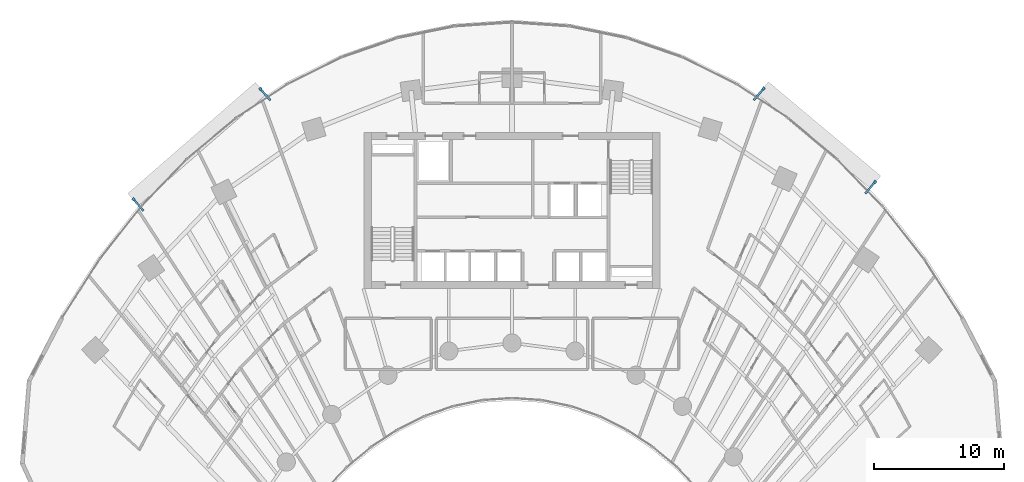
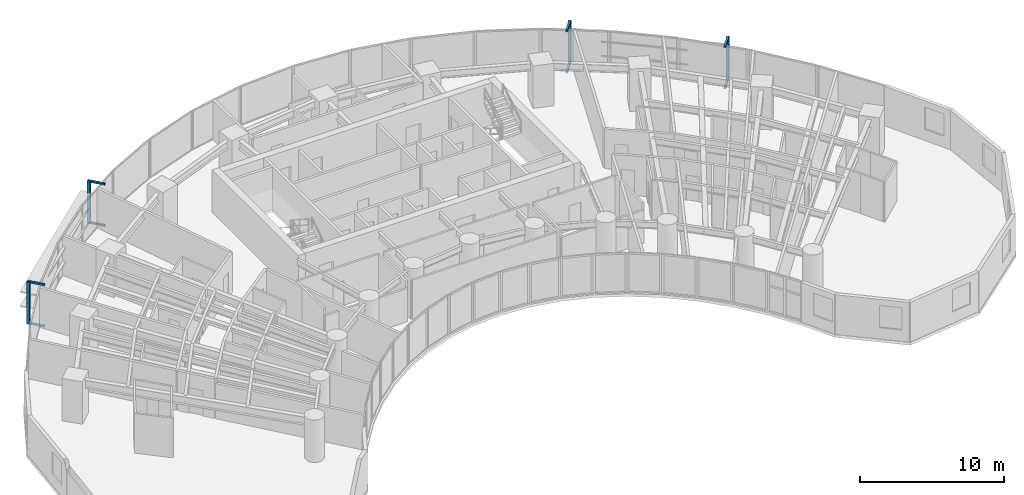
# One storey, part 16 of 18: 12 discrete accessories.
"""IFC4 building model written with IfcOpenShell, lengths in metres."""

from ifc_helpers import new_model, si_unit, direction, frame, origin, origin_2d, place, context, subcontext, project, spatial, rectangle, extrude, source, transform, mapped, material, type_object, type_shapes, element, save


model = new_model("IFC4")

# Units and contexts
model_context = context("Model", 3, precision=1e-05, world=origin(), true_north=direction((0.0, 1.0)))
body_context = subcontext(model_context, "Body", "Model", "MODEL_VIEW")
ifc_project = project(units=[si_unit("LENGTHUNIT", "METRE"), si_unit("AREAUNIT", "SQUARE_METRE"), si_unit("VOLUMEUNIT", "CUBIC_METRE"), si_unit("PLANEANGLEUNIT", "RADIAN"), si_unit("MASSUNIT", "GRAM", prefix="KILO")], contexts=[model_context])

# Site, building, storey
site_placement = place(None, origin())
site = spatial("IfcSite", under=ifc_project, at=site_placement, CompositionType="ELEMENT")
building_placement = place(site_placement, origin())
building = spatial("IfcBuilding", under=site, at=building_placement, Name="Breltana Convention Tower", CompositionType="ELEMENT")
storey_placement = place(building_placement, frame((0.0, 0.0, 39.0)))
storey = spatial("IfcBuildingStorey", under=building, at=storey_placement, Name="L07", CompositionType="ELEMENT", Elevation=39.0)

# Discrete accessories
ifc_material = material(Name="Steel S355", Category="steel")
discrete_accessory_type_1 = type_object("IfcDiscreteAccessoryType", Name="ACC-DSF-BRACKET-150", PredefinedType="BRACKET", material=ifc_material)
shared_shape_1 = source(origin(), body_context, "Body", "SweptSolid", [
    extrude(rectangle(XDim=1.239990234375, YDim=0.14990234375, at=origin_2d()), origin(), (0.0, 0.0, 1.0), 0.139892578125),
])
type_shapes(discrete_accessory_type_1, [shared_shape_1])
for number, where, z_axis, x_axis, name in (
    (1, (19.310791015625, 66.643798828125, -0.16015625), (0.0, 0.0, 1.0), (-0.656456838663, 0.754363585397, 0.0), "L07 double-skin slab stand-off bracket 1.1B"),
    (2, (19.310791015625, 66.643798828125, 3.35986328125), (0.0, 0.0, 1.0), (-0.656456838663, 0.754363585397, 0.0), "L07 double-skin slab stand-off bracket 1.1T"),
    (3, (29.052978515625, 75.121337890625, -0.16015625), (0.0, 0.0, 1.0), (-0.656456838663, 0.754363585397, 0.0), "L07 double-skin slab stand-off bracket 1.2B"),
    (4, (29.052978515625, 75.121337890625, 3.35986328125), (0.0, 0.0, 1.0), (-0.656456838663, 0.754363585397, 0.0), "L07 double-skin slab stand-off bracket 1.2T"),
    (5, (66.954833984375, 75.1435546875, -0.16015625), (0.0, 0.0, 1.0), (0.641990162706, 0.76671287389, 0.0), "L07 double-skin slab stand-off bracket 2.1B"),
    (6, (66.954833984375, 75.1435546875, 3.35986328125), (0.0, 0.0, 1.0), (0.641990162706, 0.76671287389, 0.0), "L07 double-skin slab stand-off bracket 2.1T"),
    (7, (75.516357421875, 67.974853515625, -0.16015625), (0.0, 0.0, 1.0), (0.641990162706, 0.76671287389, 0.0), "L07 double-skin slab stand-off bracket 2.2B"),
    (8, (75.516357421875, 67.974853515625, 3.35986328125), (0.0, 0.0, 1.0), (0.641990162706, 0.76671287389, 0.0), "L07 double-skin slab stand-off bracket 2.2T"),
):
    element("IfcDiscreteAccessory", number, at=place(storey_placement, frame(where, z_axis=z_axis, x_axis=x_axis)), inside=storey, type_object=discrete_accessory_type_1, Name=name, PredefinedType="BRACKET", context=body_context, shape_type="MappedRepresentation", body=[
        mapped(shared_shape_1, transform((0.0, 0.0, 0.0), scale=1.0)),
    ])
discrete_accessory_type_2 = type_object("IfcDiscreteAccessoryType", Name="ACC-DSF-CARRIER-150", PredefinedType="BRACKET", material=ifc_material)
shared_shape_2 = source(origin(), body_context, "Body", "SweptSolid", [
    extrude(rectangle(XDim=0.219970703125, YDim=0.219970703125, at=origin_2d()), origin(), (0.0, 0.0, 1.0), 3.580078125),
])
for number, where, z_axis, x_axis, name in (
    (9, (18.943115234375, 67.066162109375, -0.1201171875), (0.0, 0.0, 1.0), (-0.656456838663, 0.754363585397, 0.0), "L07 double-skin outer vertical carrier 1.1"),
    (10, (28.685302734375, 75.5439453125, -0.1201171875), (0.0, 0.0, 1.0), (-0.656456838663, 0.754363585397, 0.0), "L07 double-skin outer vertical carrier 1.2"),
    (11, (67.314453125, 75.57275390625, -0.1201171875), (0.0, 0.0, 1.0), (0.641990162706, 0.76671287389, 0.0), "L07 double-skin outer vertical carrier 2.1"),
    (12, (75.875732421875, 68.404052734375, -0.1201171875), (0.0, 0.0, 1.0), (0.641990162706, 0.76671287389, 0.0), "L07 double-skin outer vertical carrier 2.2"),
):
    element("IfcDiscreteAccessory", number, at=place(storey_placement, frame(where, z_axis=z_axis, x_axis=x_axis)), inside=storey, type_object=discrete_accessory_type_2, Name=name, PredefinedType="BRACKET", context=body_context, shape_type="MappedRepresentation", body=[
        mapped(shared_shape_2, transform((0.0, 0.0, 0.0), scale=1.0)),
    ])

save(model, "model.ifc")
